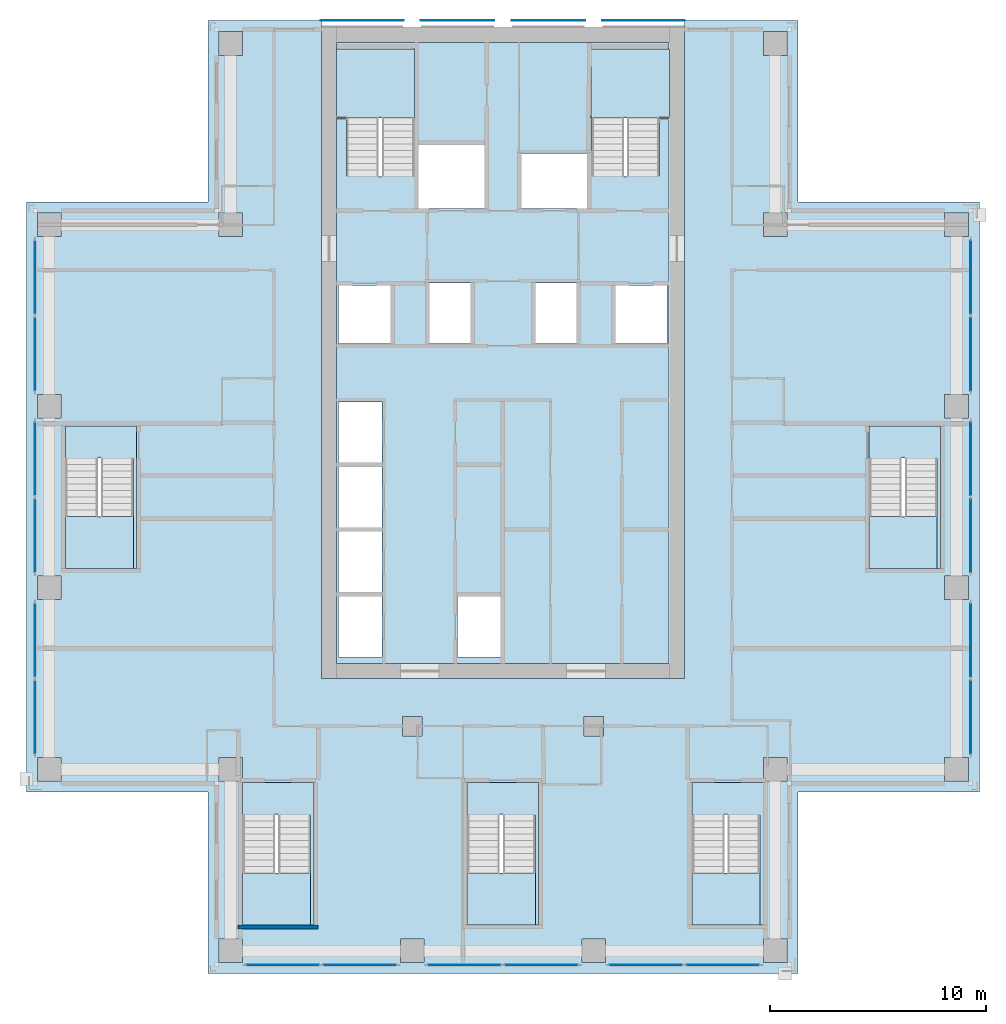
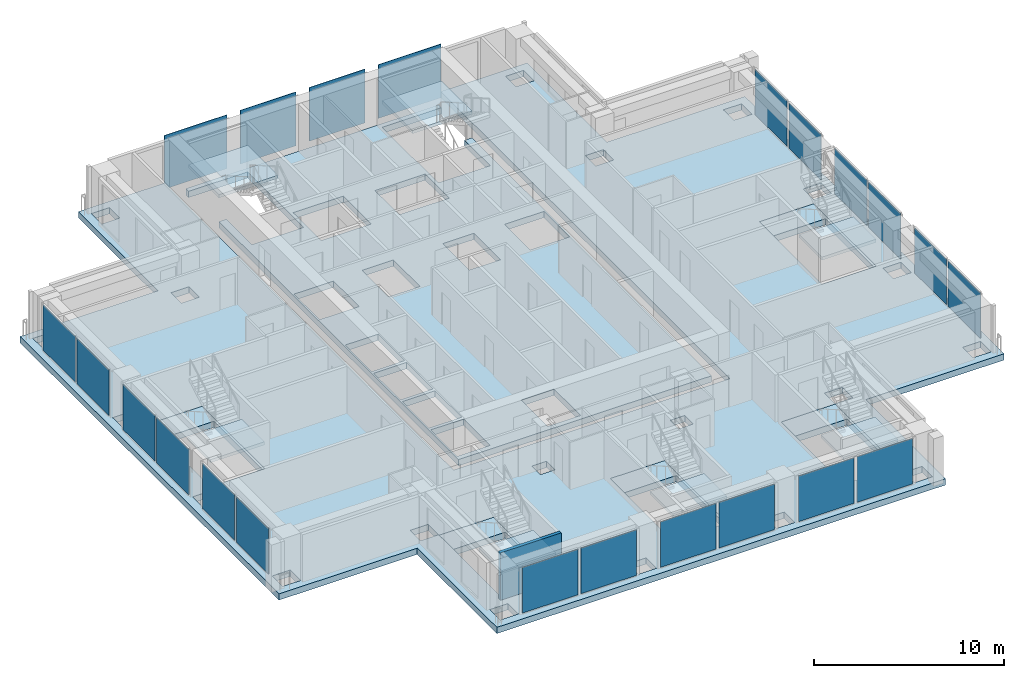
# One storey, part 8 of 16: 22 plates, 14 slabs, 1 wall, 16 elements without a shape of their own.
"""IFC4 building model written with IfcOpenShell, lengths in metres."""

from ifc_helpers import new_model, si_unit, direction, frame, frame_2d, origin, origin_2d, place, context, subcontext, project, spatial, polyline, rectangle, outline, extrude, material, layer, layer_set, type_object, element, aggregate, save


model = new_model("IFC4")

# Units and contexts
model_context = context("Model", 3, precision=1e-05, world=origin(), true_north=direction((0.0, 1.0)))
body_context = subcontext(model_context, "Body", "Model", "MODEL_VIEW")
ifc_project = project(units=[si_unit("LENGTHUNIT", "METRE"), si_unit("AREAUNIT", "SQUARE_METRE"), si_unit("VOLUMEUNIT", "CUBIC_METRE"), si_unit("PLANEANGLEUNIT", "RADIAN"), si_unit("MASSUNIT", "GRAM", prefix="KILO")], contexts=[model_context])

# Site, building, storey
site_placement = place(None, origin())
site = spatial("IfcSite", under=ifc_project, at=site_placement, CompositionType="ELEMENT")
building_placement = place(site_placement, origin())
building = spatial("IfcBuilding", under=site, at=building_placement, Name="Vermilion Ogive Tower", CompositionType="ELEMENT")
storey_placement = place(building_placement, frame((0.0, 0.0, 140.0)))
storey = spatial("IfcBuildingStorey", under=building, at=storey_placement, Name="L35", CompositionType="ELEMENT", Elevation=140.0)

# Curtain wall, plates
ifc_material_1 = material(Name="Low-iron laminated glazing in aluminium frame", Category="aluminium")
curtain_wall_type = type_object("IfcCurtainWallType", Name="Curtain wall CW7", PredefinedType="NOTDEFINED", material=ifc_material_1)
curtain_wall_1_placement = place(storey_placement, origin())
curtain_wall_1 = element("IfcCurtainWall", 1, at=curtain_wall_1_placement, inside=storey, type_object=curtain_wall_type, Name="Glazed skin S1", PredefinedType="NOTDEFINED")
ifc_material_2 = material(Name="Low-iron laminated glazing in aluminium frame", Category="aluminium")
ifc_layer_1 = layer(ifc_material_2, 0.031982421875)
ifc_layer_set_1 = layer_set([ifc_layer_1], Name="CW7 glazing panel 32")
plate_type_1 = type_object("IfcPlateType", Name="CW7 glazing panel 32", PredefinedType="CURTAIN_PANEL", material=ifc_layer_set_1)
plate_1_placement = place(storey_placement, frame((-10.179931640625, -21.64990234375, 0.06005859375), z_axis=(0.0, 0.0, 1.0), x_axis=(1.0, 0.0, 0.0)))
plate_1 = element("IfcPlate", 2, at=plate_1_placement, type_object=plate_type_1, Name="CW7-S1 panel 1.1", PredefinedType="CURTAIN_PANEL", context=body_context, shape_type="SweptSolid", body=[
    extrude(rectangle(XDim=3.3798828125, YDim=0.031982421875, at=origin_2d()), origin(), (0.0, 0.0, 1.0), 2.929931640625),
])
plate_2_placement = place(storey_placement, frame((-6.6201171875, -21.64990234375, 0.06005859375), z_axis=(0.0, 0.0, 1.0), x_axis=(1.0, 0.0, 0.0)))
plate_2 = element("IfcPlate", 3, at=plate_2_placement, type_object=plate_type_1, Name="CW7-S1 panel 2.1", PredefinedType="CURTAIN_PANEL", context=body_context, shape_type="SweptSolid", body=[
    extrude(rectangle(XDim=3.3798828125, YDim=0.031982421875, at=origin_2d()), origin(), (0.0, 0.0, 1.0), 2.929931640625),
])
aggregate(curtain_wall_1, [plate_1, plate_2])

curtain_wall_2_placement = place(storey_placement, origin())
curtain_wall_2 = element("IfcCurtainWall", 4, at=curtain_wall_2_placement, inside=storey, type_object=curtain_wall_type, Name="Glazed skin S2", PredefinedType="NOTDEFINED")
plate_3_placement = place(storey_placement, frame((-1.780029296875, -21.64990234375, 0.06005859375), z_axis=(0.0, 0.0, 1.0), x_axis=(1.0, 0.0, 0.0)))
plate_3 = element("IfcPlate", 5, at=plate_3_placement, type_object=plate_type_1, Name="CW7-S2 panel 1.1", PredefinedType="CURTAIN_PANEL", context=body_context, shape_type="SweptSolid", body=[
    extrude(rectangle(XDim=3.3798828125, YDim=0.031982421875, at=origin_2d()), origin(), (0.0, 0.0, 1.0), 2.929931640625),
])
plate_4_placement = place(storey_placement, frame((1.780029296875, -21.64990234375, 0.06005859375), z_axis=(0.0, 0.0, 1.0), x_axis=(1.0, 0.0, 0.0)))
plate_4 = element("IfcPlate", 6, at=plate_4_placement, type_object=plate_type_1, Name="CW7-S2 panel 2.1", PredefinedType="CURTAIN_PANEL", context=body_context, shape_type="SweptSolid", body=[
    extrude(rectangle(XDim=3.3798828125, YDim=0.031982421875, at=origin_2d()), origin(), (0.0, 0.0, 1.0), 2.929931640625),
])
aggregate(curtain_wall_2, [plate_3, plate_4])

curtain_wall_3_placement = place(storey_placement, origin())
curtain_wall_3 = element("IfcCurtainWall", 7, at=curtain_wall_3_placement, inside=storey, type_object=curtain_wall_type, Name="Glazed skin S3", PredefinedType="NOTDEFINED")
plate_5_placement = place(storey_placement, frame((6.6201171875, -21.64990234375, 0.06005859375), z_axis=(0.0, 0.0, 1.0), x_axis=(1.0, 0.0, 0.0)))
plate_5 = element("IfcPlate", 8, at=plate_5_placement, type_object=plate_type_1, Name="CW7-S3 panel 1.1", PredefinedType="CURTAIN_PANEL", context=body_context, shape_type="SweptSolid", body=[
    extrude(rectangle(XDim=3.3798828125, YDim=0.031982421875, at=origin_2d()), origin(), (0.0, 0.0, 1.0), 2.929931640625),
])
plate_6_placement = place(storey_placement, frame((10.179931640625, -21.64990234375, 0.06005859375), z_axis=(0.0, 0.0, 1.0), x_axis=(1.0, 0.0, 0.0)))
plate_6 = element("IfcPlate", 9, at=plate_6_placement, type_object=plate_type_1, Name="CW7-S3 panel 2.1", PredefinedType="CURTAIN_PANEL", context=body_context, shape_type="SweptSolid", body=[
    extrude(rectangle(XDim=3.3798828125, YDim=0.031982421875, at=origin_2d()), origin(), (0.0, 0.0, 1.0), 2.929931640625),
])
aggregate(curtain_wall_3, [plate_5, plate_6])

curtain_wall_4_placement = place(storey_placement, origin())
curtain_wall_4 = element("IfcCurtainWall", 10, at=curtain_wall_4_placement, inside=storey, type_object=curtain_wall_type, Name="Glazed skin E1", PredefinedType="NOTDEFINED")
plate_7_placement = place(storey_placement, frame((21.64990234375, -10.179931640625, 0.06005859375), z_axis=(0.0, 0.0, 1.0), x_axis=(0.0, 1.0, 0.0)))
plate_7 = element("IfcPlate", 11, at=plate_7_placement, type_object=plate_type_1, Name="CW7-E1 panel 1.1", PredefinedType="CURTAIN_PANEL", context=body_context, shape_type="SweptSolid", body=[
    extrude(rectangle(XDim=3.3798828125, YDim=0.031982421875, at=origin_2d()), origin(), (0.0, 0.0, 1.0), 2.929931640625),
])
plate_8_placement = place(storey_placement, frame((21.64990234375, -6.6201171875, 0.06005859375), z_axis=(0.0, 0.0, 1.0), x_axis=(0.0, 1.0, 0.0)))
plate_8 = element("IfcPlate", 12, at=plate_8_placement, type_object=plate_type_1, Name="CW7-E1 panel 2.1", PredefinedType="CURTAIN_PANEL", context=body_context, shape_type="SweptSolid", body=[
    extrude(rectangle(XDim=3.3798828125, YDim=0.031982421875, at=origin_2d()), origin(), (0.0, 0.0, 1.0), 2.929931640625),
])
aggregate(curtain_wall_4, [plate_7, plate_8])

curtain_wall_5_placement = place(storey_placement, origin())
curtain_wall_5 = element("IfcCurtainWall", 13, at=curtain_wall_5_placement, inside=storey, type_object=curtain_wall_type, Name="Glazed skin E2", PredefinedType="NOTDEFINED")
plate_9_placement = place(storey_placement, frame((21.64990234375, -1.780029296875, 0.06005859375), z_axis=(0.0, 0.0, 1.0), x_axis=(0.0, 1.0, 0.0)))
plate_9 = element("IfcPlate", 14, at=plate_9_placement, type_object=plate_type_1, Name="CW7-E2 panel 1.1", PredefinedType="CURTAIN_PANEL", context=body_context, shape_type="SweptSolid", body=[
    extrude(rectangle(XDim=3.3798828125, YDim=0.031982421875, at=origin_2d()), origin(), (0.0, 0.0, 1.0), 2.929931640625),
])
plate_10_placement = place(storey_placement, frame((21.64990234375, 1.780029296875, 0.06005859375), z_axis=(0.0, 0.0, 1.0), x_axis=(0.0, 1.0, 0.0)))
plate_10 = element("IfcPlate", 15, at=plate_10_placement, type_object=plate_type_1, Name="CW7-E2 panel 2.1", PredefinedType="CURTAIN_PANEL", context=body_context, shape_type="SweptSolid", body=[
    extrude(rectangle(XDim=3.3798828125, YDim=0.031982421875, at=origin_2d()), origin(), (0.0, 0.0, 1.0), 2.929931640625),
])
aggregate(curtain_wall_5, [plate_9, plate_10])

curtain_wall_6_placement = place(storey_placement, origin())
curtain_wall_6 = element("IfcCurtainWall", 16, at=curtain_wall_6_placement, inside=storey, type_object=curtain_wall_type, Name="Glazed skin E3", PredefinedType="NOTDEFINED")
plate_11_placement = place(storey_placement, frame((21.64990234375, 6.6201171875, 0.06005859375), z_axis=(0.0, 0.0, 1.0), x_axis=(0.0, 1.0, 0.0)))
plate_11 = element("IfcPlate", 17, at=plate_11_placement, type_object=plate_type_1, Name="CW7-E3 panel 1.1", PredefinedType="CURTAIN_PANEL", context=body_context, shape_type="SweptSolid", body=[
    extrude(rectangle(XDim=3.3798828125, YDim=0.031982421875, at=origin_2d()), origin(), (0.0, 0.0, 1.0), 2.929931640625),
])
plate_12_placement = place(storey_placement, frame((21.64990234375, 10.179931640625, 0.06005859375), z_axis=(0.0, 0.0, 1.0), x_axis=(0.0, 1.0, 0.0)))
plate_12 = element("IfcPlate", 18, at=plate_12_placement, type_object=plate_type_1, Name="CW7-E3 panel 2.1", PredefinedType="CURTAIN_PANEL", context=body_context, shape_type="SweptSolid", body=[
    extrude(rectangle(XDim=3.3798828125, YDim=0.031982421875, at=origin_2d()), origin(), (0.0, 0.0, 1.0), 2.929931640625),
])
aggregate(curtain_wall_6, [plate_11, plate_12])

curtain_wall_7_placement = place(storey_placement, origin())
curtain_wall_7 = element("IfcCurtainWall", 19, at=curtain_wall_7_placement, inside=storey, type_object=curtain_wall_type, Name="Glazed skin W1", PredefinedType="NOTDEFINED")
plate_13_placement = place(storey_placement, frame((-21.64990234375, 10.179931640625, 0.06005859375), z_axis=(0.0, 0.0, 1.0), x_axis=(0.0, -1.0, 0.0)))
plate_13 = element("IfcPlate", 20, at=plate_13_placement, type_object=plate_type_1, Name="CW7-W1 panel 1.1", PredefinedType="CURTAIN_PANEL", context=body_context, shape_type="SweptSolid", body=[
    extrude(rectangle(XDim=3.3798828125, YDim=0.031982421875, at=origin_2d()), origin(), (0.0, 0.0, 1.0), 2.929931640625),
])
plate_14_placement = place(storey_placement, frame((-21.64990234375, 6.6201171875, 0.06005859375), z_axis=(0.0, 0.0, 1.0), x_axis=(0.0, -1.0, 0.0)))
plate_14 = element("IfcPlate", 21, at=plate_14_placement, type_object=plate_type_1, Name="CW7-W1 panel 2.1", PredefinedType="CURTAIN_PANEL", context=body_context, shape_type="SweptSolid", body=[
    extrude(rectangle(XDim=3.3798828125, YDim=0.031982421875, at=origin_2d()), origin(), (0.0, 0.0, 1.0), 2.929931640625),
])
aggregate(curtain_wall_7, [plate_13, plate_14])

curtain_wall_8_placement = place(storey_placement, origin())
curtain_wall_8 = element("IfcCurtainWall", 22, at=curtain_wall_8_placement, inside=storey, type_object=curtain_wall_type, Name="Glazed skin W2", PredefinedType="NOTDEFINED")
plate_15_placement = place(storey_placement, frame((-21.64990234375, 1.780029296875, 0.06005859375), z_axis=(0.0, 0.0, 1.0), x_axis=(0.0, -1.0, 0.0)))
plate_15 = element("IfcPlate", 23, at=plate_15_placement, type_object=plate_type_1, Name="CW7-W2 panel 1.1", PredefinedType="CURTAIN_PANEL", context=body_context, shape_type="SweptSolid", body=[
    extrude(rectangle(XDim=3.3798828125, YDim=0.031982421875, at=origin_2d()), origin(), (0.0, 0.0, 1.0), 2.929931640625),
])
plate_16_placement = place(storey_placement, frame((-21.64990234375, -1.780029296875, 0.06005859375), z_axis=(0.0, 0.0, 1.0), x_axis=(0.0, -1.0, 0.0)))
plate_16 = element("IfcPlate", 24, at=plate_16_placement, type_object=plate_type_1, Name="CW7-W2 panel 2.1", PredefinedType="CURTAIN_PANEL", context=body_context, shape_type="SweptSolid", body=[
    extrude(rectangle(XDim=3.3798828125, YDim=0.031982421875, at=origin_2d()), origin(), (0.0, 0.0, 1.0), 2.929931640625),
])
aggregate(curtain_wall_8, [plate_15, plate_16])

curtain_wall_9_placement = place(storey_placement, origin())
curtain_wall_9 = element("IfcCurtainWall", 25, at=curtain_wall_9_placement, inside=storey, type_object=curtain_wall_type, Name="Glazed skin W3", PredefinedType="NOTDEFINED")
plate_17_placement = place(storey_placement, frame((-21.64990234375, -6.6201171875, 0.06005859375), z_axis=(0.0, 0.0, 1.0), x_axis=(0.0, -1.0, 0.0)))
plate_17 = element("IfcPlate", 26, at=plate_17_placement, type_object=plate_type_1, Name="CW7-W3 panel 1.1", PredefinedType="CURTAIN_PANEL", context=body_context, shape_type="SweptSolid", body=[
    extrude(rectangle(XDim=3.3798828125, YDim=0.031982421875, at=origin_2d()), origin(), (0.0, 0.0, 1.0), 2.929931640625),
])
plate_18_placement = place(storey_placement, frame((-21.64990234375, -10.179931640625, 0.06005859375), z_axis=(0.0, 0.0, 1.0), x_axis=(0.0, -1.0, 0.0)))
plate_18 = element("IfcPlate", 27, at=plate_18_placement, type_object=plate_type_1, Name="CW7-W3 panel 2.1", PredefinedType="CURTAIN_PANEL", context=body_context, shape_type="SweptSolid", body=[
    extrude(rectangle(XDim=3.3798828125, YDim=0.031982421875, at=origin_2d()), origin(), (0.0, 0.0, 1.0), 2.929931640625),
])
aggregate(curtain_wall_9, [plate_17, plate_18])

# Slabs
ifc_material_3 = material(Name="Concrete B40", Category="concrete")
ifc_layer_2 = layer(ifc_material_3, 0.39990234375)
ifc_layer_set_2 = layer_set([ifc_layer_2], Name="Core floor slab 400 B40")
slab_type_1 = type_object("IfcSlabType", Name="Core floor slab 400 B40", PredefinedType="FLOOR", material=ifc_layer_set_2)
slab_1_placement = place(storey_placement, frame((0.0, 0.0, -0.39990234375)))
element("IfcSlab", 28, at=slab_1_placement, inside=storey, type_object=slab_type_1, Name="L35-CK-FS1", PredefinedType="FLOOR", context=body_context, shape_type="SweptSolid", body=[
    extrude(outline(polyline([(5.75, 14.85009765625), (5.60009765625, 14.85009765625), (5.60009765625, 14.85205078125), (4.10009765625, 14.85205078125), (4.10009765625, 17.550048828125), (4.074951171875, 17.550048828125), (4.074951171875, 20.75), (7.696044921875, 20.75), (7.696044921875, 21.0458984375), (-7.696044921875, 21.0458984375), (-7.696044921875, 20.75), (-4.10009765625, 20.75), (-4.10009765625, 14.85205078125), (-5.60009765625, 14.85205078125), (-5.60009765625, 14.85009765625), (-5.75, 14.85009765625), (-5.75, 14.85205078125), (-7.25, 14.85205078125), (-7.25, 17.550048828125), (-7.696044921875, 17.550048828125), (-7.696044921875, -7.696044921875), (7.696044921875, -7.696044921875), (7.696044921875, 17.550048828125), (7.25, 17.550048828125), (7.25, 14.85205078125), (5.75, 14.85205078125), (5.75, 14.85009765625)]), holes=[polyline([(-7.60009765625, -7.39990234375), (-7.60009765625, -4.60009765625), (-5.60009765625, -4.60009765625), (-5.60009765625, -7.39990234375), (-7.60009765625, -7.39990234375)]), polyline([(-7.60009765625, -4.39990234375), (-7.60009765625, -1.60009765625), (-5.60009765625, -1.60009765625), (-5.60009765625, -4.39990234375), (-7.60009765625, -4.39990234375)]), polyline([(-7.60009765625, -1.39990234375), (-7.60009765625, 1.39990234375), (-5.60009765625, 1.39990234375), (-5.60009765625, -1.39990234375), (-7.60009765625, -1.39990234375)]), polyline([(-7.60009765625, 1.60009765625), (-7.60009765625, 4.39990234375), (-5.60009765625, 4.39990234375), (-5.60009765625, 1.60009765625), (-7.60009765625, 1.60009765625)]), polyline([(-7.60009765625, 7.10009765625), (-7.60009765625, 9.800048828125), (-5.199951171875, 9.800048828125), (-5.199951171875, 7.10009765625), (-7.60009765625, 7.10009765625)]), polyline([(-3.39990234375, 9.89990234375), (-1.5, 9.89990234375), (-1.5, 7.10009765625), (-3.39990234375, 7.10009765625), (-3.39990234375, 9.89990234375)]), polyline([(-2.10009765625, -7.39990234375), (-2.10009765625, -4.60009765625), (-0.10009765625, -4.60009765625), (-0.10009765625, -7.39990234375), (-2.10009765625, -7.39990234375)]), polyline([(5.199951171875, 7.10009765625), (5.199951171875, 9.800048828125), (7.60009765625, 9.800048828125), (7.60009765625, 7.10009765625), (5.199951171875, 7.10009765625)]), polyline([(1.5, 7.10009765625), (1.5, 9.89990234375), (3.39990234375, 9.89990234375), (3.39990234375, 7.10009765625), (1.5, 7.10009765625)]), polyline([(0.85009765625, 13.35009765625), (0.85009765625, 15.89990234375), (3.89990234375, 15.89990234375), (3.89990234375, 13.35009765625), (0.85009765625, 13.35009765625)]), polyline([(-3.89990234375, 16.300048828125), (-0.85009765625, 16.300048828125), (-0.85009765625, 13.35009765625), (-3.89990234375, 13.35009765625), (-3.89990234375, 16.300048828125)])]), origin(), (0.0, 0.0, 1.0), 0.39990234375),
])
slab_2_placement = place(storey_placement, frame((0.0, 0.0, -0.39990234375)))
element("IfcSlab", 29, at=slab_2_placement, inside=storey, type_object=slab_type_1, Name="L35-SF-ST3-1", PredefinedType="FLOOR", context=body_context, shape_type="SweptSolid", body=[
    extrude(outline(polyline([(-12.050048828125, -13.199951171875), (-12.050048828125, -14.701904296875), (-10.550048828125, -14.701904296875), (-10.550048828125, -14.699951171875), (-10.39990234375, -14.699951171875), (-10.39990234375, -14.701904296875), (-8.89990234375, -14.701904296875), (-8.89990234375, -19.800048828125), (-8.75, -19.800048828125), (-8.75, -13.199951171875), (-12.050048828125, -13.199951171875)])), origin(), (0.0, 0.0, 1.0), 0.39990234375),
])
slab_3_placement = place(storey_placement, frame((0.0, 0.0, -0.39990234375)))
element("IfcSlab", 30, at=slab_3_placement, inside=storey, type_object=slab_type_1, Name="L35-SF-ST4-1", PredefinedType="FLOOR", context=body_context, shape_type="SweptSolid", body=[
    extrude(outline(polyline([(-1.64990234375, -13.199951171875), (-1.64990234375, -14.701904296875), (-0.14990234375, -14.701904296875), (-0.14990234375, -14.699951171875), (0.0, -14.699951171875), (0.0, -14.701904296875), (1.5, -14.701904296875), (1.5, -19.800048828125), (1.64990234375, -19.800048828125), (1.64990234375, -13.199951171875), (-1.64990234375, -13.199951171875)])), origin(), (0.0, 0.0, 1.0), 0.39990234375),
])
slab_4_placement = place(storey_placement, frame((0.0, 0.0, -0.39990234375)))
element("IfcSlab", 31, at=slab_4_placement, inside=storey, type_object=slab_type_1, Name="L35-SF-ST5-1", PredefinedType="FLOOR", context=body_context, shape_type="SweptSolid", body=[
    extrude(outline(polyline([(8.75, -13.199951171875), (8.75, -14.701904296875), (10.25, -14.701904296875), (10.25, -14.699951171875), (10.39990234375, -14.699951171875), (10.39990234375, -14.701904296875), (11.89990234375, -14.701904296875), (11.89990234375, -19.800048828125), (12.050048828125, -19.800048828125), (12.050048828125, -13.199951171875), (8.75, -13.199951171875)])), origin(), (0.0, 0.0, 1.0), 0.39990234375),
])
slab_5_placement = place(storey_placement, frame((0.0, 0.0, -0.39990234375)))
element("IfcSlab", 32, at=slab_5_placement, inside=storey, type_object=slab_type_1, Name="L35-SF-ST8-1", PredefinedType="FLOOR", context=body_context, shape_type="SweptSolid", body=[
    extrude(outline(polyline([(16.949951171875, 3.300048828125), (16.949951171875, 1.798095703125), (18.449951171875, 1.798095703125), (18.449951171875, 1.800048828125), (18.60009765625, 1.800048828125), (18.60009765625, 1.798095703125), (20.10009765625, 1.798095703125), (20.10009765625, -3.300048828125), (20.25, -3.300048828125), (20.25, 3.300048828125), (16.949951171875, 3.300048828125)])), origin(), (0.0, 0.0, 1.0), 0.39990234375),
])
slab_6_placement = place(storey_placement, frame((0.0, 0.0, -0.39990234375)))
element("IfcSlab", 33, at=slab_6_placement, inside=storey, type_object=slab_type_1, Name="L35-SF-ST9-1", PredefinedType="FLOOR", context=body_context, shape_type="SweptSolid", body=[
    extrude(outline(polyline([(-20.25, 3.300048828125), (-20.25, 1.798095703125), (-18.75, 1.798095703125), (-18.75, 1.800048828125), (-18.60009765625, 1.800048828125), (-18.60009765625, 1.798095703125), (-17.10009765625, 1.798095703125), (-17.10009765625, -3.300048828125), (-16.949951171875, -3.300048828125), (-16.949951171875, 3.300048828125), (-20.25, 3.300048828125)])), origin(), (0.0, 0.0, 1.0), 0.39990234375),
])

# Plates
ifc_material_4 = material(Name="Low-iron laminated glazing in aluminium frame", Category="aluminium")
ifc_layer_3 = layer(ifc_material_4, 0.031982421875)
ifc_layer_set_3 = layer_set([ifc_layer_3], Name="Glazed rainscreen sheet 32")
plate_type_2 = type_object("IfcPlateType", Name="Glazed rainscreen sheet 32", PredefinedType="SHEET", material=ifc_layer_set_3)
plate_19_placement = place(storey_placement, frame((-6.510009765625, 22.06591796875, -0.39990234375), z_axis=(0.0, 0.0, 1.0), x_axis=(1.0, 0.0, 0.0)))
element("IfcPlate", 34, at=plate_19_placement, inside=storey, type_object=plate_type_2, Name="Glazed rainscreen sheet N1", PredefinedType="SHEET", context=body_context, shape_type="SweptSolid", body=[
    extrude(rectangle(XDim=3.820068359375, YDim=0.031982421875, at=origin_2d()), origin(), (0.0, 0.0, 1.0), 3.449951171875),
])
for number, where, z_axis, x_axis, name in (
    (35, (-2.10009765625, 22.06591796875, -0.39990234375), (0.0, 0.0, 1.0), (1.0, 0.0, 0.0), "Glazed rainscreen sheet N2"),
    (36, (2.10009765625, 22.06591796875, -0.39990234375), (0.0, 0.0, 1.0), (1.0, 0.0, 0.0), "Glazed rainscreen sheet N3"),
):
    element("IfcPlate", number, at=place(storey_placement, frame(where, z_axis=z_axis, x_axis=x_axis)), inside=storey, type_object=plate_type_2, Name=name, PredefinedType="SHEET", context=body_context, shape_type="SweptSolid", body=[
        extrude(rectangle(XDim=3.39990234375, YDim=0.031982421875, at=origin_2d()), origin(), (0.0, 0.0, 1.0), 3.449951171875),
    ])
plate_20_placement = place(storey_placement, frame((6.510009765625, 22.06591796875, -0.39990234375), z_axis=(0.0, 0.0, 1.0), x_axis=(1.0, 0.0, 0.0)))
element("IfcPlate", 37, at=plate_20_placement, inside=storey, type_object=plate_type_2, Name="Glazed rainscreen sheet N4", PredefinedType="SHEET", context=body_context, shape_type="SweptSolid", body=[
    extrude(rectangle(XDim=3.820068359375, YDim=0.031982421875, at=origin_2d()), origin(), (0.0, 0.0, 1.0), 3.449951171875),
])

# Slab
ifc_material_5 = material(Name="Concrete B45", Category="concrete")
ifc_layer_4 = layer(ifc_material_5, 0.39990234375)
ifc_layer_set_4 = layer_set([ifc_layer_4], Name="Post-tensioned flat plate 400 B45")
slab_type_2 = type_object("IfcSlabType", Name="Post-tensioned flat plate 400 B45", PredefinedType="FLOOR", material=ifc_layer_set_4)
slab_7_placement = place(storey_placement, frame((0.0, 0.0, -0.39990234375)))
element("IfcSlab", 38, at=slab_7_placement, inside=storey, type_object=slab_type_2, Name="L35-SL-1", PredefinedType="FLOOR", context=body_context, shape_type="SweptSolid", body=[
    extrude(outline(polyline([(-13.64990234375, -13.64990234375), (-22.050048828125, -13.64990234375), (-22.050048828125, 13.64990234375), (-13.64990234375, 13.64990234375), (-13.64990234375, 22.050048828125), (-8.39990234375, 22.050048828125), (-8.39990234375, -8.39990234375), (8.39990234375, -8.39990234375), (8.39990234375, 22.050048828125), (13.64990234375, 22.050048828125), (13.64990234375, 13.64990234375), (22.050048828125, 13.64990234375), (22.050048828125, -13.64990234375), (13.64990234375, -13.64990234375), (13.64990234375, -22.050048828125), (-13.64990234375, -22.050048828125), (-13.64990234375, -13.64990234375)]), holes=[polyline([(21.550048828125, 12.050048828125), (21.550048828125, 13.14990234375), (20.449951171875, 13.14990234375), (20.449951171875, 12.050048828125), (21.550048828125, 12.050048828125)]), polyline([(21.550048828125, 3.64990234375), (21.550048828125, 4.75), (20.449951171875, 4.75), (20.449951171875, 3.64990234375), (21.550048828125, 3.64990234375)]), polyline([(21.550048828125, -4.75), (21.550048828125, -3.64990234375), (20.449951171875, -3.64990234375), (20.449951171875, -4.75), (21.550048828125, -4.75)]), polyline([(21.550048828125, -13.14990234375), (21.550048828125, -12.050048828125), (20.449951171875, -12.050048828125), (20.449951171875, -13.14990234375), (21.550048828125, -13.14990234375)]), polyline([(20.25, -3.300048828125), (20.25, 3.300048828125), (16.949951171875, 3.300048828125), (16.949951171875, -3.300048828125), (20.25, -3.300048828125)]), polyline([(13.14990234375, 20.449951171875), (13.14990234375, 21.550048828125), (12.050048828125, 21.550048828125), (12.050048828125, 20.449951171875), (13.14990234375, 20.449951171875)]), polyline([(13.14990234375, 12.050048828125), (13.14990234375, 13.14990234375), (12.050048828125, 13.14990234375), (12.050048828125, 12.050048828125), (13.14990234375, 12.050048828125)]), polyline([(13.14990234375, -13.14990234375), (13.14990234375, -12.050048828125), (12.050048828125, -12.050048828125), (12.050048828125, -13.14990234375), (13.14990234375, -13.14990234375)]), polyline([(13.14990234375, -21.550048828125), (13.14990234375, -20.449951171875), (12.050048828125, -20.449951171875), (12.050048828125, -21.550048828125), (13.14990234375, -21.550048828125)]), polyline([(12.050048828125, -19.800048828125), (12.050048828125, -13.199951171875), (8.75, -13.199951171875), (8.75, -19.800048828125), (12.050048828125, -19.800048828125)]), polyline([(4.75, -20.449951171875), (3.64990234375, -20.449951171875), (3.64990234375, -21.550048828125), (4.75, -21.550048828125), (4.75, -20.449951171875)]), polyline([(4.64990234375, -11.050048828125), (4.64990234375, -10.14990234375), (3.75, -10.14990234375), (3.75, -11.050048828125), (4.64990234375, -11.050048828125)]), polyline([(1.64990234375, -19.800048828125), (1.64990234375, -13.199951171875), (-1.64990234375, -13.199951171875), (-1.64990234375, -19.800048828125), (1.64990234375, -19.800048828125)]), polyline([(-3.64990234375, -21.550048828125), (-3.64990234375, -20.449951171875), (-4.75, -20.449951171875), (-4.75, -21.550048828125), (-3.64990234375, -21.550048828125)]), polyline([(-3.75, -11.050048828125), (-3.75, -10.14990234375), (-4.64990234375, -10.14990234375), (-4.64990234375, -11.050048828125), (-3.75, -11.050048828125)]), polyline([(-8.75, -19.800048828125), (-8.75, -13.199951171875), (-12.050048828125, -13.199951171875), (-12.050048828125, -19.800048828125), (-8.75, -19.800048828125)]), polyline([(-12.050048828125, 20.449951171875), (-12.050048828125, 21.550048828125), (-13.14990234375, 21.550048828125), (-13.14990234375, 20.449951171875), (-12.050048828125, 20.449951171875)]), polyline([(-12.050048828125, 12.050048828125), (-12.050048828125, 13.14990234375), (-13.14990234375, 13.14990234375), (-13.14990234375, 12.050048828125), (-12.050048828125, 12.050048828125)]), polyline([(-12.050048828125, -13.14990234375), (-12.050048828125, -12.050048828125), (-13.14990234375, -12.050048828125), (-13.14990234375, -13.14990234375), (-12.050048828125, -13.14990234375)]), polyline([(-12.050048828125, -20.449951171875), (-13.14990234375, -20.449951171875), (-13.14990234375, -21.550048828125), (-12.050048828125, -21.550048828125), (-12.050048828125, -20.449951171875)]), polyline([(-16.949951171875, -3.300048828125), (-16.949951171875, 3.300048828125), (-20.25, 3.300048828125), (-20.25, -3.300048828125), (-16.949951171875, -3.300048828125)]), polyline([(-20.449951171875, -13.14990234375), (-20.449951171875, -12.050048828125), (-21.550048828125, -12.050048828125), (-21.550048828125, -13.14990234375), (-20.449951171875, -13.14990234375)]), polyline([(-20.449951171875, 12.050048828125), (-20.449951171875, 13.14990234375), (-21.550048828125, 13.14990234375), (-21.550048828125, 12.050048828125), (-20.449951171875, 12.050048828125)]), polyline([(-20.449951171875, 3.64990234375), (-20.449951171875, 4.75), (-21.550048828125, 4.75), (-21.550048828125, 3.64990234375), (-20.449951171875, 3.64990234375)]), polyline([(-20.449951171875, -4.75), (-20.449951171875, -3.64990234375), (-21.550048828125, -3.64990234375), (-21.550048828125, -4.75), (-20.449951171875, -4.75)])]), origin(), (0.0, 0.0, 1.0), 0.39990234375),
])

# Stair, slab
ifc_material_6 = material(Name="Concrete B40", Category="concrete")
stair_type = type_object("IfcStairType", Name="Exit stair 1500", PredefinedType="HALF_TURN_STAIR", material=ifc_material_6)
stair_1_placement = place(storey_placement, origin())
stair_1 = element("IfcStair", 39, at=stair_1_placement, inside=storey, type_object=stair_type, Name="L35 Exit Stair ST1", PredefinedType="HALF_TURN_STAIR")
ifc_material_7 = material(Name="Concrete B40", Category="concrete")
ifc_layer_5 = layer(ifc_material_7, 0.199951171875)
ifc_layer_set_5 = layer_set([ifc_layer_5], Name="Stair landing 200")
slab_type_3 = type_object("IfcSlabType", Name="Stair landing 200", PredefinedType="LANDING", material=ifc_layer_set_5)
slab_8_placement = place(storey_placement, frame((0.0, 0.0, 1.52490234375)))
slab_8 = element("IfcSlab", 40, at=slab_8_placement, type_object=slab_type_3, Name="ST1 landing 1", PredefinedType="LANDING", context=body_context, shape_type="SweptSolid", body=[
    extrude(outline(polyline([(-7.699951171875, 17.550048828125), (-7.25, 17.550048828125), (-7.25, 17.548095703125), (-5.75, 17.548095703125), (-5.75, 17.550048828125), (-5.60009765625, 17.550048828125), (-5.60009765625, 17.548095703125), (-4.10009765625, 17.548095703125), (-4.10009765625, 20.75), (-7.699951171875, 20.75), (-7.699951171875, 17.550048828125)])), origin(), (0.0, 0.0, 1.0), 0.2001953125),
])
aggregate(stair_1, [slab_8])

stair_2_placement = place(storey_placement, origin())
stair_2 = element("IfcStair", 41, at=stair_2_placement, inside=storey, type_object=stair_type, Name="L35 Exit Stair ST2", PredefinedType="HALF_TURN_STAIR")
slab_9_placement = place(storey_placement, frame((0.0, 0.0, 1.52490234375)))
slab_9 = element("IfcSlab", 42, at=slab_9_placement, type_object=slab_type_3, Name="ST2 landing 1", PredefinedType="LANDING", context=body_context, shape_type="SweptSolid", body=[
    extrude(outline(polyline([(5.60009765625, 17.550048828125), (5.75, 17.550048828125), (5.75, 17.548095703125), (7.25, 17.548095703125), (7.25, 17.550048828125), (7.699951171875, 17.550048828125), (7.699951171875, 20.75), (4.074951171875, 20.75), (4.074951171875, 17.550048828125), (4.10009765625, 17.550048828125), (4.10009765625, 17.548095703125), (5.60009765625, 17.548095703125), (5.60009765625, 17.550048828125)])), origin(), (0.0, 0.0, 1.0), 0.2001953125),
])
aggregate(stair_2, [slab_9])

stair_3_placement = place(storey_placement, origin())
stair_3 = element("IfcStair", 43, at=stair_3_placement, inside=storey, type_object=stair_type, Name="L35 Exit Stair ST3", PredefinedType="HALF_TURN_STAIR")
slab_10_placement = place(storey_placement, frame((0.0, 0.0, 1.52490234375)))
slab_10 = element("IfcSlab", 44, at=slab_10_placement, type_object=slab_type_3, Name="ST3 landing 1", PredefinedType="LANDING", context=body_context, shape_type="SweptSolid", body=[
    extrude(outline(polyline([(-8.75, -17.39990234375), (-8.89990234375, -17.39990234375), (-8.89990234375, -17.39794921875), (-10.39990234375, -17.39794921875), (-10.39990234375, -17.39990234375), (-10.550048828125, -17.39990234375), (-10.550048828125, -17.39794921875), (-12.050048828125, -17.39794921875), (-12.050048828125, -19.800048828125), (-8.75, -19.800048828125), (-8.75, -17.39990234375)])), origin(), (0.0, 0.0, 1.0), 0.2001953125),
])
aggregate(stair_3, [slab_10])

stair_4_placement = place(storey_placement, origin())
stair_4 = element("IfcStair", 45, at=stair_4_placement, inside=storey, type_object=stair_type, Name="L35 Exit Stair ST4", PredefinedType="HALF_TURN_STAIR")
slab_11_placement = place(storey_placement, frame((0.0, 0.0, 1.52490234375)))
slab_11 = element("IfcSlab", 46, at=slab_11_placement, type_object=slab_type_3, Name="ST4 landing 1", PredefinedType="LANDING", context=body_context, shape_type="SweptSolid", body=[
    extrude(outline(polyline([(1.64990234375, -17.39990234375), (1.5, -17.39990234375), (1.5, -17.39794921875), (0.0, -17.39794921875), (0.0, -17.39990234375), (-0.14990234375, -17.39990234375), (-0.14990234375, -17.39794921875), (-1.64990234375, -17.39794921875), (-1.64990234375, -19.7998046875), (1.64990234375, -19.7998046875), (1.64990234375, -17.39990234375)])), origin(), (0.0, 0.0, 1.0), 0.2001953125),
])
aggregate(stair_4, [slab_11])

stair_5_placement = place(storey_placement, origin())
stair_5 = element("IfcStair", 47, at=stair_5_placement, inside=storey, type_object=stair_type, Name="L35 Exit Stair ST5", PredefinedType="HALF_TURN_STAIR")
slab_12_placement = place(storey_placement, frame((0.0, 0.0, 1.52490234375)))
slab_12 = element("IfcSlab", 48, at=slab_12_placement, type_object=slab_type_3, Name="ST5 landing 1", PredefinedType="LANDING", context=body_context, shape_type="SweptSolid", body=[
    extrude(outline(polyline([(12.050048828125, -17.39990234375), (11.89990234375, -17.39990234375), (11.89990234375, -17.39794921875), (10.39990234375, -17.39794921875), (10.39990234375, -17.39990234375), (10.25, -17.39990234375), (10.25, -17.39794921875), (8.75, -17.39794921875), (8.75, -19.800048828125), (12.050048828125, -19.800048828125), (12.050048828125, -17.39990234375)])), origin(), (0.0, 0.0, 1.0), 0.2001953125),
])
aggregate(stair_5, [slab_12])

stair_6_placement = place(storey_placement, origin())
stair_6 = element("IfcStair", 49, at=stair_6_placement, inside=storey, type_object=stair_type, Name="L35 Exit Stair ST8", PredefinedType="HALF_TURN_STAIR")
slab_13_placement = place(storey_placement, frame((0.0, 0.0, 1.52490234375)))
slab_13 = element("IfcSlab", 50, at=slab_13_placement, type_object=slab_type_3, Name="ST8 landing 1", PredefinedType="LANDING", context=body_context, shape_type="SweptSolid", body=[
    extrude(outline(polyline([(20.25, -0.89990234375), (20.10009765625, -0.89990234375), (20.10009765625, -0.89794921875), (18.60009765625, -0.89794921875), (18.60009765625, -0.89990234375), (18.449951171875, -0.89990234375), (18.449951171875, -0.89794921875), (16.949951171875, -0.89794921875), (16.949951171875, -0.902099609375), (16.9501953125, -0.902099609375), (16.9501953125, -3.2998046875), (20.25, -3.2998046875), (20.25, -0.89990234375)])), origin(), (0.0, 0.0, 1.0), 0.2001953125),
])
aggregate(stair_6, [slab_13])

stair_7_placement = place(storey_placement, origin())
stair_7 = element("IfcStair", 51, at=stair_7_placement, inside=storey, type_object=stair_type, Name="L35 Exit Stair ST9", PredefinedType="HALF_TURN_STAIR")
slab_14_placement = place(storey_placement, frame((0.0, 0.0, 1.52490234375)))
slab_14 = element("IfcSlab", 52, at=slab_14_placement, type_object=slab_type_3, Name="ST9 landing 1", PredefinedType="LANDING", context=body_context, shape_type="SweptSolid", body=[
    extrude(outline(polyline([(-16.9501953125, -0.89990234375), (-17.10009765625, -0.89990234375), (-17.10009765625, -0.89794921875), (-18.60009765625, -0.89794921875), (-18.60009765625, -0.89990234375), (-18.75, -0.89990234375), (-18.75, -0.89794921875), (-20.25, -0.89794921875), (-20.25, -0.89990234375), (-20.25, -0.89990234375), (-20.25, -3.2998046875), (-16.9501953125, -3.2998046875), (-16.9501953125, -0.89990234375)])), origin(), (0.0, 0.0, 1.0), 0.2001953125),
])
aggregate(stair_7, [slab_14])

# Wall
ifc_material_8 = material(Name="Concrete B60", Category="concrete")
ifc_layer_6 = layer(ifc_material_8, 0.199951171875)
ifc_layer_set_6 = layer_set([ifc_layer_6], Name="Stair shaft wall 200 Concrete B60")
wall_type = type_object("IfcWallType", Name="Stair shaft wall 200 Concrete B60", PredefinedType="SOLIDWALL", material=ifc_layer_set_6)
wall_placement = place(storey_placement, frame((-12.25, -19.89990234375, 0.0), z_axis=(0.0, 0.0, 1.0), x_axis=(1.0, 0.0, 0.0)))
element("IfcWall", 53, at=wall_placement, inside=storey, type_object=wall_type, Name="L35-SW-ST3-S1", PredefinedType="SOLIDWALL", context=body_context, shape_type="SweptSolid", body=[
    extrude(rectangle(XDim=3.699951171875, YDim=0.199951171875, at=frame_2d((1.85009765625, 0.0))), origin(), (0.0, 0.0, 1.0), 3.050048828125),
])

save(model, "model.ifc")
